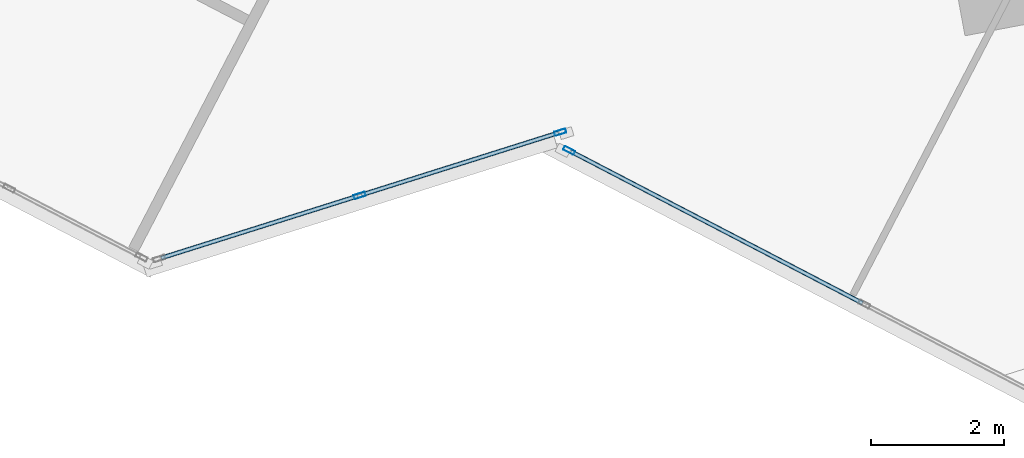
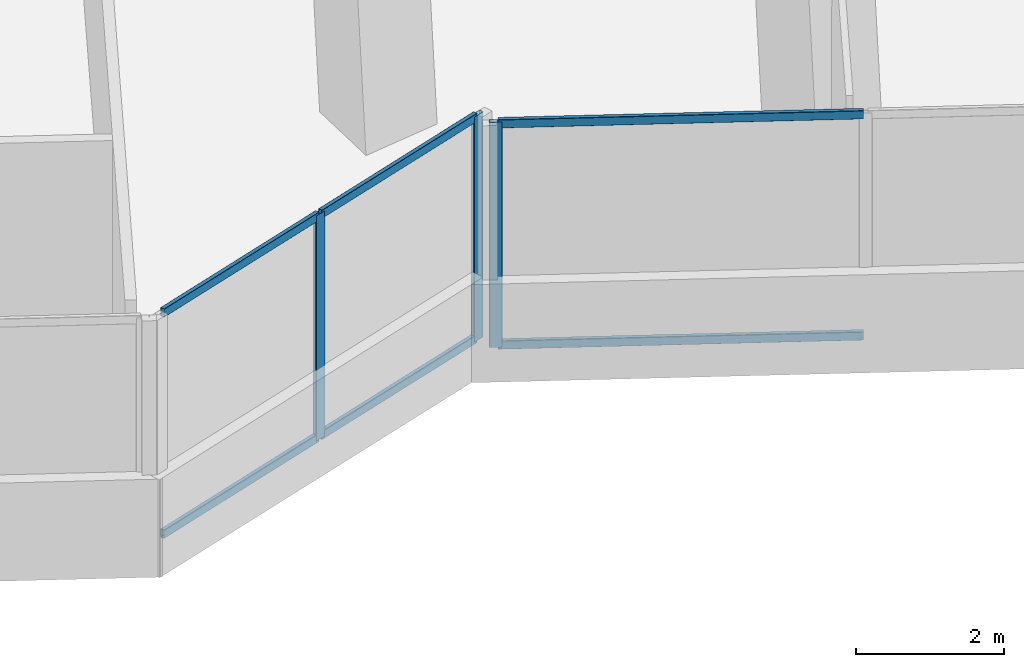
# One storey, part 4 of 22: 9 members, 2 elements without a shape of their own.
"""IFC4 building model written with IfcOpenShell, lengths in metres."""

from ifc_helpers import new_model, si_unit, direction, frame, origin, origin_2d, place, context, subcontext, project, spatial, hollow_rectangle, extrude, source, transform, mapped, material, material_profile, profile_set, type_object, element, aggregate, save


model = new_model("IFC4")

# Units and contexts
model_context = context("Model", 3, precision=1e-05, world=origin(), true_north=direction((0.0, 1.0)))
body_context = subcontext(model_context, "Body", "Model", "MODEL_VIEW")
ifc_project = project(units=[si_unit("LENGTHUNIT", "METRE"), si_unit("AREAUNIT", "SQUARE_METRE"), si_unit("VOLUMEUNIT", "CUBIC_METRE"), si_unit("PLANEANGLEUNIT", "RADIAN"), si_unit("MASSUNIT", "GRAM", prefix="KILO")], contexts=[model_context])

# Site, building, storey
site_placement = place(None, origin())
site = spatial("IfcSite", under=ifc_project, at=site_placement, CompositionType="ELEMENT")
building_placement = place(site_placement, origin())
building = spatial("IfcBuilding", under=site, at=building_placement, Name="Torre Montelarca", CompositionType="ELEMENT")
storey_placement = place(building_placement, frame((0.0, 0.0, 175.0)))
storey = spatial("IfcBuildingStorey", under=building, at=storey_placement, Name="L39", CompositionType="ELEMENT", Elevation=175.0)

# Curtain wall, members
ifc_material_1 = material(Name="Insulated low-E laminated glass", Category="glass")
curtain_wall_type = type_object("IfcCurtainWallType", Name="CW-SYS-Z2", PredefinedType="USERDEFINED", material=ifc_material_1)
curtain_wall_1_placement = place(storey_placement, origin())
curtain_wall_1 = element("IfcCurtainWall", 1, at=curtain_wall_1_placement, inside=storey, type_object=curtain_wall_type, Name="L39 Curtain Wall Run CW-T3-L39-E02-B1", ObjectType="UNITISED GLAZING", PredefinedType="USERDEFINED")
ifc_material_2 = material(Name="Anodised aluminium AA 6063-T6", Category="aluminium")
ifc_material_profile_1 = material_profile(ifc_material_2, hollow_rectangle(XDim=0.06494140625, YDim=0.139892578125, WallThickness=0.00390625, InnerFilletRadius=0.00390625, OuterFilletRadius=0.008056640625, at=origin_2d()), Name="ALU65X140X4", Category="aluminium")
ifc_profile_set_1 = profile_set([ifc_material_profile_1], Name="Anodised aluminium AA 6063-T6")
member_type_1 = type_object("IfcMemberType", Name="CWT-ALU140", PredefinedType="USERDEFINED", material=ifc_profile_set_1)
shared_shape_1 = source(origin(), body_context, "Body", "SweptSolid", [
    extrude(hollow_rectangle(XDim=0.06494140625, YDim=0.139892578125, WallThickness=0.00390625, InnerFilletRadius=0.00390625, OuterFilletRadius=0.008056640625, at=origin_2d()), origin(), (0.0, 0.0, 1.0), 3.102294921875),
])
member_1_placement = place(storey_placement, frame((22.94580078125, 11.016845703125, 0.032470703125), z_axis=(0.953719343554, 0.30069821039, 0.0), x_axis=(-0.30069821039, 0.953719343554, 0.0)))
member_1 = element("IfcMember", 2, at=member_1_placement, type_object=member_type_1, Name="CW transom 1.1", ObjectType="TRANSOM", PredefinedType="USERDEFINED", context=body_context, shape_type="MappedRepresentation", body=[
    mapped(shared_shape_1, transform((0.0, 0.0, 0.0), scale=1.0)),
])
member_2_placement = place(storey_placement, frame((22.94580078125, 11.016845703125, 3.6875), z_axis=(0.953719343554, 0.30069821039, 0.0), x_axis=(-0.30069821039, 0.953719343554, 0.0)))
member_2 = element("IfcMember", 3, at=member_2_placement, type_object=member_type_1, Name="CW transom 1.2", ObjectType="TRANSOM", PredefinedType="USERDEFINED", context=body_context, shape_type="MappedRepresentation", body=[
    mapped(shared_shape_1, transform((0.0, 0.0, 0.0), scale=1.0)),
])
shared_shape_2 = source(origin(), body_context, "Body", "SweptSolid", [
    extrude(hollow_rectangle(XDim=0.06494140625, YDim=0.139892578125, WallThickness=0.00390625, InnerFilletRadius=0.00390625, OuterFilletRadius=0.008056640625, at=origin_2d()), origin(), (0.0, 0.0, 1.0), 3.1025390625),
])
member_3_placement = place(storey_placement, frame((25.966552734375, 11.96923828125, 0.032470703125), z_axis=(0.953726458417, 0.300675643367, 0.0), x_axis=(-0.300675643367, 0.953726458417, 0.0)))
member_3 = element("IfcMember", 4, at=member_3_placement, type_object=member_type_1, Name="CW transom 2.1", ObjectType="TRANSOM", PredefinedType="USERDEFINED", context=body_context, shape_type="MappedRepresentation", body=[
    mapped(shared_shape_2, transform((0.0, 0.0, 0.0), scale=1.0)),
])
member_4_placement = place(storey_placement, frame((25.966552734375, 11.96923828125, 3.6875), z_axis=(0.953726458417, 0.300675643367, 0.0), x_axis=(-0.300675643367, 0.953726458417, 0.0)))
member_4 = element("IfcMember", 5, at=member_4_placement, type_object=member_type_1, Name="CW transom 2.2", ObjectType="TRANSOM", PredefinedType="USERDEFINED", context=body_context, shape_type="MappedRepresentation", body=[
    mapped(shared_shape_2, transform((0.0, 0.0, 0.0), scale=1.0)),
])
ifc_material_profile_2 = material_profile(ifc_material_2, hollow_rectangle(XDim=0.06494140625, YDim=0.179931640625, WallThickness=0.00390625, InnerFilletRadius=0.00390625, OuterFilletRadius=0.008056640625, at=origin_2d()), Name="ALU65X180X4", Category="aluminium")
ifc_profile_set_2 = profile_set([ifc_material_profile_2], Name="Anodised aluminium AA 6063-T6")
member_type_2 = type_object("IfcMemberType", Name="CWM-ALU180", PredefinedType="MULLION", material=ifc_profile_set_2)
shared_shape_3 = source(origin(), body_context, "Body", "SweptSolid", [
    extrude(hollow_rectangle(XDim=0.06494140625, YDim=0.179931640625, WallThickness=0.00390625, InnerFilletRadius=0.00390625, OuterFilletRadius=0.008056640625, at=origin_2d()), origin(), (0.0, 0.0, 1.0), 3.719970703125),
])
member_5_placement = place(storey_placement, frame((25.935546875, 11.95947265625, 0.0), z_axis=(0.0, 0.0, 1.0), x_axis=(-0.300702850836, 0.953717880455, 0.0)))
member_5 = element("IfcMember", 6, at=member_5_placement, type_object=member_type_2, Name="CW mullion 2", PredefinedType="MULLION", context=body_context, shape_type="MappedRepresentation", body=[
    mapped(shared_shape_3, transform((0.0, 0.0, 0.0), scale=1.0)),
])
member_6_placement = place(storey_placement, frame((28.95654296875, 12.911865234375, 0.0), z_axis=(0.0, 0.0, 1.0), x_axis=(-0.300702850836, 0.953717880455, 0.0)))
member_6 = element("IfcMember", 7, at=member_6_placement, type_object=member_type_2, Name="CW mullion 3", PredefinedType="MULLION", context=body_context, shape_type="MappedRepresentation", body=[
    mapped(shared_shape_3, transform((0.0, 0.0, 0.0), scale=1.0)),
])
aggregate(curtain_wall_1, [member_5, member_6, member_1, member_2, member_3, member_4])

curtain_wall_2_placement = place(storey_placement, origin())
curtain_wall_2 = element("IfcCurtainWall", 8, at=curtain_wall_2_placement, inside=storey, type_object=curtain_wall_type, Name="L39 Curtain Wall Run CW-T3-L39-E04-B1", ObjectType="UNITISED GLAZING", PredefinedType="USERDEFINED")
member_7_placement = place(storey_placement, frame((29.09130859375, 12.636962890625, 0.0), z_axis=(0.0, 0.0, 1.0), x_axis=(0.461743609762, 0.887013437803, 0.0)))
member_7 = element("IfcMember", 9, at=member_7_placement, type_object=member_type_2, Name="CW mullion 1", PredefinedType="MULLION", context=body_context, shape_type="MappedRepresentation", body=[
    mapped(shared_shape_3, transform((0.0, 0.0, 0.0), scale=1.0)),
])
shared_shape_4 = source(origin(), body_context, "Body", "SweptSolid", [
    extrude(hollow_rectangle(XDim=0.06494140625, YDim=0.139892578125, WallThickness=0.00390625, InnerFilletRadius=0.00390625, OuterFilletRadius=0.008056640625, at=origin_2d()), origin(), (0.0, 0.0, 1.0), 4.948486328125),
])
member_8_placement = place(storey_placement, frame((29.1201171875, 12.621826171875, 0.032470703125), z_axis=(0.887016390061, -0.461737938405, 0.0), x_axis=(0.461737938405, 0.887016390061, 0.0)))
member_8 = element("IfcMember", 10, at=member_8_placement, type_object=member_type_1, Name="CW transom 1.1", ObjectType="TRANSOM", PredefinedType="USERDEFINED", context=body_context, shape_type="MappedRepresentation", body=[
    mapped(shared_shape_4, transform((0.0, 0.0, 0.0), scale=1.0)),
])
member_9_placement = place(storey_placement, frame((29.1201171875, 12.621826171875, 3.6875), z_axis=(0.887016390061, -0.461737938405, 0.0), x_axis=(0.461737938405, 0.887016390061, 0.0)))
member_9 = element("IfcMember", 11, at=member_9_placement, type_object=member_type_1, Name="CW transom 1.2", ObjectType="TRANSOM", PredefinedType="USERDEFINED", context=body_context, shape_type="MappedRepresentation", body=[
    mapped(shared_shape_4, transform((0.0, 0.0, 0.0), scale=1.0)),
])
aggregate(curtain_wall_2, [member_7, member_8, member_9])

save(model, "model.ifc")
